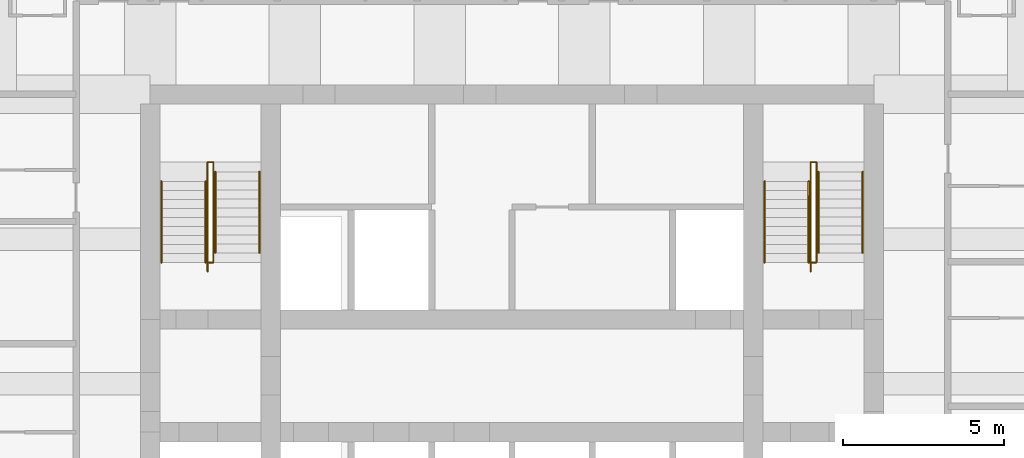
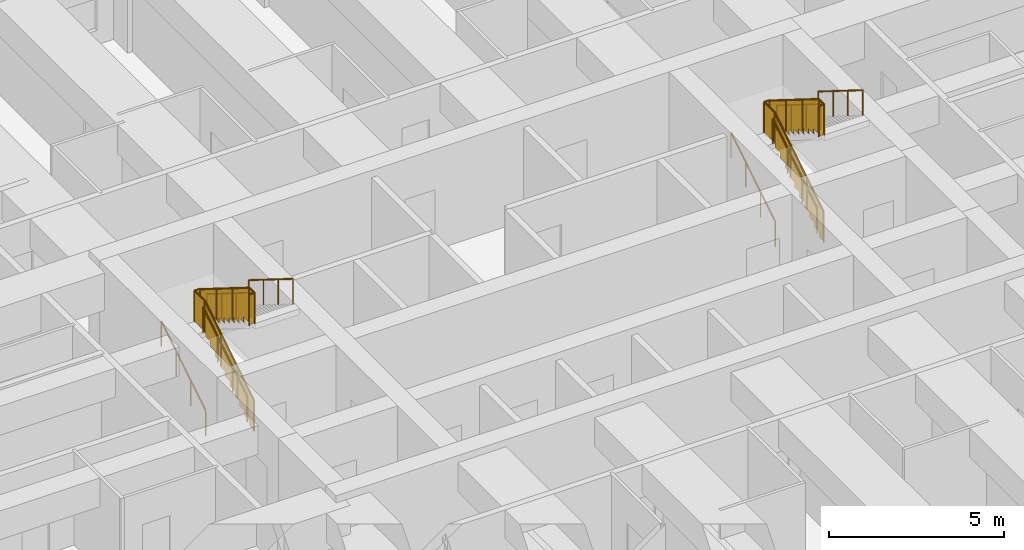
# One storey, part 8 of 8: 12 railings.
"""IFC4 building model written with IfcOpenShell, lengths in metres."""

from ifc_helpers import new_model, si_unit, direction, frame, origin, origin_2d, place, context, subcontext, project, spatial, polyline, circle, outline, extrude, material, type_object, element, save


model = new_model("IFC4")

# Units and contexts
model_context = context("Model", 3, precision=1e-05, world=origin(), true_north=direction((0.0, 1.0)))
body_context = subcontext(model_context, "Body", "Model", "MODEL_VIEW")
ifc_project = project(units=[si_unit("LENGTHUNIT", "METRE"), si_unit("AREAUNIT", "SQUARE_METRE"), si_unit("VOLUMEUNIT", "CUBIC_METRE"), si_unit("PLANEANGLEUNIT", "RADIAN"), si_unit("MASSUNIT", "GRAM", prefix="KILO")], contexts=[model_context])

# Site, building, storey
site_placement = place(None, origin())
site = spatial("IfcSite", under=ifc_project, at=site_placement, CompositionType="ELEMENT")
building_placement = place(site_placement, origin())
building = spatial("IfcBuilding", under=site, at=building_placement, Name="Kilele Tower Hotel", CompositionType="ELEMENT")
storey_placement = place(building_placement, frame((0.0, 0.0, 64.699951171875)))
storey = spatial("IfcBuildingStorey", under=building, at=storey_placement, Name="L15", CompositionType="ELEMENT", Elevation=64.699951171875)

# Railings
ifc_material_1 = material(Name="Steel handrail", Category="steel")
railing_type_1 = type_object("IfcRailingType", Name="Handrail 900", PredefinedType="HANDRAIL", material=ifc_material_1)
for number, where, name in (
    (1, (13.85009765625, 21.77490234375, 0.175048828125), "Handrail ST1 flight 1"),
    (2, (15.22509765625, 21.77490234375, 0.175048828125), "Handrail ST1 flight 1"),
):
    element("IfcRailing", number, at=place(storey_placement, frame(where)), inside=storey, type_object=railing_type_1, Name=name, PredefinedType="HANDRAIL", context=body_context, shape_type="SweptSolid", body=[
        extrude(circle(Radius=0.02490234375, at=origin_2d()), frame((0.0, 0.0, 0.875), z_axis=(0.0, 0.848007534815, 0.529984170421), x_axis=(-1.0, 0.0, 0.0)), (0.0, 0.0, 1.0), 2.9716796875),
        extrude(circle(Radius=0.02001953125, at=origin_2d()), origin(), (0.0, 0.0, 1.0), 0.849853515625),
        extrude(circle(Radius=0.02001953125, at=origin_2d()), frame((0.0, 0.840087890625, 0.52490234375)), (0.0, 0.0, 1.0), 0.849853515625),
        extrude(circle(Radius=0.02001953125, at=origin_2d()), frame((0.0, 1.679931640625, 1.050048828125)), (0.0, 0.0, 1.0), 0.849853515625),
        extrude(circle(Radius=0.02001953125, at=origin_2d()), frame((0.0, 2.52001953125, 1.574951171875)), (0.0, 0.0, 1.0), 0.849853515625),
    ])
for number, where, name in (
    (3, (15.52490234375, 24.594970703125, 1.925048828125), "Handrail ST1 flight 2"),
    (4, (16.89990234375, 24.594970703125, 1.925048828125), "Handrail ST1 flight 2"),
):
    element("IfcRailing", number, at=place(storey_placement, frame(where)), inside=storey, type_object=railing_type_1, Name=name, PredefinedType="HANDRAIL", context=body_context, shape_type="SweptSolid", body=[
        extrude(circle(Radius=0.02490234375, at=origin_2d()), frame((0.0, 0.0, 0.875), z_axis=(0.0, -0.848007534815, 0.529984170421), x_axis=(1.0, 0.0, 0.0)), (0.0, 0.0, 1.0), 2.9716796875),
        extrude(circle(Radius=0.02001953125, at=origin_2d()), origin(), (0.0, 0.0, 1.0), 0.849853515625),
        extrude(circle(Radius=0.02001953125, at=origin_2d()), frame((0.0, -0.840087890625, 0.52490234375)), (0.0, 0.0, 1.0), 0.849853515625),
        extrude(circle(Radius=0.02001953125, at=origin_2d()), frame((0.0, -1.679931640625, 1.050048828125)), (0.0, 0.0, 1.0), 0.849853515625),
        extrude(circle(Radius=0.02001953125, at=origin_2d()), frame((0.0, -2.52001953125, 1.574951171875)), (0.0, 0.0, 1.0), 0.849853515625),
    ])
for number, where, name in (
    (5, (32.60009765625, 21.77490234375, 0.175048828125), "Handrail ST2 flight 1"),
    (6, (33.97509765625, 21.77490234375, 0.175048828125), "Handrail ST2 flight 1"),
):
    element("IfcRailing", number, at=place(storey_placement, frame(where)), inside=storey, type_object=railing_type_1, Name=name, PredefinedType="HANDRAIL", context=body_context, shape_type="SweptSolid", body=[
        extrude(circle(Radius=0.02490234375, at=origin_2d()), frame((0.0, 0.0, 0.875), z_axis=(0.0, 0.848007534815, 0.529984170421), x_axis=(-1.0, 0.0, 0.0)), (0.0, 0.0, 1.0), 2.9716796875),
        extrude(circle(Radius=0.02001953125, at=origin_2d()), origin(), (0.0, 0.0, 1.0), 0.849853515625),
        extrude(circle(Radius=0.02001953125, at=origin_2d()), frame((0.0, 0.840087890625, 0.52490234375)), (0.0, 0.0, 1.0), 0.849853515625),
        extrude(circle(Radius=0.02001953125, at=origin_2d()), frame((0.0, 1.679931640625, 1.050048828125)), (0.0, 0.0, 1.0), 0.849853515625),
        extrude(circle(Radius=0.02001953125, at=origin_2d()), frame((0.0, 2.52001953125, 1.574951171875)), (0.0, 0.0, 1.0), 0.849853515625),
    ])
for number, where, name in (
    (7, (34.27490234375, 24.594970703125, 1.925048828125), "Handrail ST2 flight 2"),
    (8, (35.64990234375, 24.594970703125, 1.925048828125), "Handrail ST2 flight 2"),
):
    element("IfcRailing", number, at=place(storey_placement, frame(where)), inside=storey, type_object=railing_type_1, Name=name, PredefinedType="HANDRAIL", context=body_context, shape_type="SweptSolid", body=[
        extrude(circle(Radius=0.02490234375, at=origin_2d()), frame((0.0, 0.0, 0.875), z_axis=(0.0, -0.848007534815, 0.529984170421), x_axis=(1.0, 0.0, 0.0)), (0.0, 0.0, 1.0), 2.9716796875),
        extrude(circle(Radius=0.02001953125, at=origin_2d()), origin(), (0.0, 0.0, 1.0), 0.849853515625),
        extrude(circle(Radius=0.02001953125, at=origin_2d()), frame((0.0, -0.840087890625, 0.52490234375)), (0.0, 0.0, 1.0), 0.849853515625),
        extrude(circle(Radius=0.02001953125, at=origin_2d()), frame((0.0, -1.679931640625, 1.050048828125)), (0.0, 0.0, 1.0), 0.849853515625),
        extrude(circle(Radius=0.02001953125, at=origin_2d()), frame((0.0, -2.52001953125, 1.574951171875)), (0.0, 0.0, 1.0), 0.849853515625),
    ])
ifc_material_2 = material(Name="Steel guard", Category="steel")
railing_type_2 = type_object("IfcRailingType", Name="Stair guard 1100", PredefinedType="GUARDRAIL", material=ifc_material_2)
railing_1_placement = place(storey_placement, frame((15.284912109375, 21.4951171875, 0.0)))
element("IfcRailing", 9, at=railing_1_placement, inside=storey, type_object=railing_type_2, Name="Stair well guard ST1 flight 1", PredefinedType="GUARDRAIL", context=body_context, shape_type="SweptSolid", body=[
    extrude(circle(Radius=0.02490234375, at=origin_2d()), frame((0.0, 0.0, 1.0751953125), z_axis=(0.0, 0.847981687118, 0.530025526095), x_axis=(-1.0, 0.0, 0.0)), (0.0, 0.0, 1.0), 3.3017578125),
    extrude(circle(Radius=0.02490234375, at=origin_2d()), frame((0.0, 2.7998046875, 2.8251953125), z_axis=(0.0, 1.0, 0.0), x_axis=(-1.0, 0.0, 0.0)), (0.0, 0.0, 1.0), 0.60009765625),
    extrude(circle(Radius=0.02490234375, at=origin_2d()), frame((0.0, 3.39990234375, 2.8251953125), z_axis=(1.0, 0.0, 0.0), x_axis=(0.0, 1.0, 0.0)), (0.0, 0.0, 1.0), 0.18017578125),
    extrude(circle(Radius=0.02490234375, at=origin_2d()), origin(), (0.0, 0.0, 1.0), 1.050048828125),
    extrude(circle(Radius=0.02490234375, at=origin_2d()), frame((0.0, 0.933349609375, 0.583251953125)), (0.0, 0.0, 1.0), 1.050048828125),
    extrude(circle(Radius=0.02490234375, at=origin_2d()), frame((0.0, 1.866455078125, 1.166748046875)), (0.0, 0.0, 1.0), 1.050048828125),
    extrude(circle(Radius=0.02490234375, at=origin_2d()), frame((0.0, 2.7998046875, 1.75)), (0.0, 0.0, 1.0), 1.050048828125),
    extrude(circle(Radius=0.02490234375, at=origin_2d()), frame((0.0, 3.39990234375, 1.75)), (0.0, 0.0, 1.0), 1.050048828125),
    extrude(circle(Radius=0.02490234375, at=origin_2d()), frame((0.18017578125, 3.39990234375, 1.75)), (0.0, 0.0, 1.0), 1.050048828125),
    extrude(outline(polyline([(0.012451171875, 0.030029296875), (0.25, 0.030029296875), (0.25, 0.205078125), (0.530029296875, 0.205078125), (0.530029296875, 0.380126953125), (0.809814453125, 0.380126953125), (0.809814453125, 0.554931640625), (1.08984375, 0.554931640625), (1.08984375, 0.72998046875), (1.369873046875, 0.72998046875), (1.369873046875, 0.905029296875), (1.64990234375, 0.905029296875), (1.64990234375, 1.080078125), (1.929931640625, 1.080078125), (1.929931640625, 1.255126953125), (2.209716796875, 1.255126953125), (2.209716796875, 1.429931640625), (2.48974609375, 1.429931640625), (2.48974609375, 1.60498046875), (2.769775390625, 1.60498046875), (2.769775390625, 1.780029296875), (2.787353515625, 1.780029296875), (2.787353515625, 2.787841796875), (0.012451171875, 1.053466796875), (0.012451171875, 0.030029296875)])), frame((-0.005859375, 0.0, 0.0), z_axis=(1.0, 0.0, 0.0), x_axis=(0.0, 1.0, 0.0)), (0.0, 0.0, 1.0), 0.011962890625),
    extrude(outline(polyline([(0.012451171875, 0.030029296875), (0.587646484375, 0.030029296875), (0.587646484375, 1.050048828125), (0.012451171875, 1.050048828125), (0.012451171875, 0.030029296875)])), frame((-0.005859375, 2.7998046875, 1.75), z_axis=(1.0, 0.0, 0.0), x_axis=(0.0, 1.0, 0.0)), (0.0, 0.0, 1.0), 0.011962890625),
    extrude(outline(polyline([(0.012451171875, 0.030029296875), (0.18017578125, 0.030029296875), (0.18017578125, 1.050048828125), (0.012451171875, 1.050048828125), (0.012451171875, 0.030029296875)])), frame((0.0, 3.40576171875, 1.75), z_axis=(0.0, -1.0, 0.0), x_axis=(1.0, 0.0, 0.0)), (0.0, 0.0, 1.0), 0.011962890625),
])
railing_2_placement = place(storey_placement, frame((15.465087890625, 24.89501953125, 1.75)))
element("IfcRailing", 10, at=railing_2_placement, inside=storey, type_object=railing_type_2, Name="Stair well guard ST1 flight 2", PredefinedType="GUARDRAIL", context=body_context, shape_type="SweptSolid", body=[
    extrude(circle(Radius=0.02490234375, at=origin_2d()), frame((0.0, 0.0, 1.0751953125), z_axis=(0.0, -1.0, 0.0), x_axis=(1.0, 0.0, 0.0)), (0.0, 0.0, 1.0), 0.02001953125),
    extrude(circle(Radius=0.02490234375, at=origin_2d()), frame((0.0, -0.02001953125, 1.0751953125), z_axis=(0.0, -0.848002457836, 0.529992293815), x_axis=(1.0, 0.0, 0.0)), (0.0, 0.0, 1.0), 3.302001953125),
    extrude(circle(Radius=0.02490234375, at=origin_2d()), frame((0.0, -2.820068359375, 2.8251953125), z_axis=(0.0, -1.0, 0.0), x_axis=(1.0, 0.0, 0.0)), (0.0, 0.0, 1.0), 0.300048828125),
    extrude(circle(Radius=0.02490234375, at=origin_2d()), frame((0.0, -3.1201171875, 2.8251953125), z_axis=(-1.0, 0.0, 0.0), x_axis=(0.0, -1.0, 0.0)), (0.0, 0.0, 1.0), 0.18017578125),
    extrude(circle(Radius=0.02490234375, at=origin_2d()), origin(), (0.0, 0.0, 1.0), 1.050048828125),
    extrude(circle(Radius=0.02490234375, at=origin_2d()), frame((0.0, -0.02001953125, 0.0)), (0.0, 0.0, 1.0), 1.050048828125),
    extrude(circle(Radius=0.02490234375, at=origin_2d()), frame((0.0, -0.953369140625, 0.583251953125)), (0.0, 0.0, 1.0), 1.050048828125),
    extrude(circle(Radius=0.02490234375, at=origin_2d()), frame((0.0, -1.88671875, 1.166748046875)), (0.0, 0.0, 1.0), 1.050048828125),
    extrude(circle(Radius=0.02490234375, at=origin_2d()), frame((0.0, -2.820068359375, 1.75)), (0.0, 0.0, 1.0), 1.050048828125),
    extrude(circle(Radius=0.02490234375, at=origin_2d()), frame((0.0, -3.1201171875, 1.75)), (0.0, 0.0, 1.0), 1.050048828125),
    extrude(circle(Radius=0.02490234375, at=origin_2d()), frame((-0.18017578125, -3.1201171875, 1.75)), (0.0, 0.0, 1.0), 1.050048828125),
    extrude(outline(polyline([(0.012451171875, 0.030029296875), (0.25, 0.030029296875), (0.25, 0.205078125), (0.530029296875, 0.205078125), (0.530029296875, 0.380126953125), (0.81005859375, 0.380126953125), (0.81005859375, 0.554931640625), (1.090087890625, 0.554931640625), (1.090087890625, 0.72998046875), (1.3701171875, 0.72998046875), (1.3701171875, 0.905029296875), (1.64990234375, 0.905029296875), (1.64990234375, 1.080078125), (1.929931640625, 1.080078125), (1.929931640625, 1.255126953125), (2.2099609375, 1.255126953125), (2.2099609375, 1.429931640625), (2.489990234375, 1.429931640625), (2.489990234375, 1.60498046875), (2.77001953125, 1.60498046875), (2.77001953125, 1.780029296875), (2.78759765625, 1.780029296875), (2.78759765625, 2.787841796875), (0.012451171875, 1.053466796875), (0.012451171875, 0.030029296875)])), frame((0.005859375, -0.02001953125, 0.0), z_axis=(-1.0, 0.0, 0.0), x_axis=(0.0, -1.0, 0.0)), (0.0, 0.0, 1.0), 0.011962890625),
    extrude(outline(polyline([(0.012451171875, 0.030029296875), (0.28759765625, 0.030029296875), (0.28759765625, 1.050048828125), (0.012451171875, 1.050048828125), (0.012451171875, 0.030029296875)])), frame((0.005859375, -2.820068359375, 1.75), z_axis=(-1.0, 0.0, 0.0), x_axis=(0.0, -1.0, 0.0)), (0.0, 0.0, 1.0), 0.011962890625),
    extrude(outline(polyline([(0.012451171875, 0.030029296875), (0.18017578125, 0.030029296875), (0.18017578125, 1.050048828125), (0.012451171875, 1.050048828125), (0.012451171875, 0.030029296875)])), frame((0.0, -3.1259765625, 1.75), z_axis=(0.0, 1.0, 0.0), x_axis=(-1.0, 0.0, 0.0)), (0.0, 0.0, 1.0), 0.011962890625),
])
railing_3_placement = place(storey_placement, frame((34.034912109375, 21.4951171875, 0.0)))
element("IfcRailing", 11, at=railing_3_placement, inside=storey, type_object=railing_type_2, Name="Stair well guard ST2 flight 1", PredefinedType="GUARDRAIL", context=body_context, shape_type="SweptSolid", body=[
    extrude(circle(Radius=0.02490234375, at=origin_2d()), frame((0.0, 0.0, 1.0751953125), z_axis=(0.0, 0.847981687118, 0.530025526095), x_axis=(-1.0, 0.0, 0.0)), (0.0, 0.0, 1.0), 3.3017578125),
    extrude(circle(Radius=0.02490234375, at=origin_2d()), frame((0.0, 2.7998046875, 2.8251953125), z_axis=(0.0, 1.0, 0.0), x_axis=(-1.0, 0.0, 0.0)), (0.0, 0.0, 1.0), 0.60009765625),
    extrude(circle(Radius=0.02490234375, at=origin_2d()), frame((0.0, 3.39990234375, 2.8251953125), z_axis=(1.0, 0.0, 0.0), x_axis=(0.0, 1.0, 0.0)), (0.0, 0.0, 1.0), 0.18017578125),
    extrude(circle(Radius=0.02490234375, at=origin_2d()), origin(), (0.0, 0.0, 1.0), 1.050048828125),
    extrude(circle(Radius=0.02490234375, at=origin_2d()), frame((0.0, 0.933349609375, 0.583251953125)), (0.0, 0.0, 1.0), 1.050048828125),
    extrude(circle(Radius=0.02490234375, at=origin_2d()), frame((0.0, 1.866455078125, 1.166748046875)), (0.0, 0.0, 1.0), 1.050048828125),
    extrude(circle(Radius=0.02490234375, at=origin_2d()), frame((0.0, 2.7998046875, 1.75)), (0.0, 0.0, 1.0), 1.050048828125),
    extrude(circle(Radius=0.02490234375, at=origin_2d()), frame((0.0, 3.39990234375, 1.75)), (0.0, 0.0, 1.0), 1.050048828125),
    extrude(circle(Radius=0.02490234375, at=origin_2d()), frame((0.18017578125, 3.39990234375, 1.75)), (0.0, 0.0, 1.0), 1.050048828125),
    extrude(outline(polyline([(0.012451171875, 0.030029296875), (0.25, 0.030029296875), (0.25, 0.205078125), (0.530029296875, 0.205078125), (0.530029296875, 0.380126953125), (0.809814453125, 0.380126953125), (0.809814453125, 0.554931640625), (1.08984375, 0.554931640625), (1.08984375, 0.72998046875), (1.369873046875, 0.72998046875), (1.369873046875, 0.905029296875), (1.64990234375, 0.905029296875), (1.64990234375, 1.080078125), (1.929931640625, 1.080078125), (1.929931640625, 1.255126953125), (2.209716796875, 1.255126953125), (2.209716796875, 1.429931640625), (2.48974609375, 1.429931640625), (2.48974609375, 1.60498046875), (2.769775390625, 1.60498046875), (2.769775390625, 1.780029296875), (2.787353515625, 1.780029296875), (2.787353515625, 2.787841796875), (0.012451171875, 1.053466796875), (0.012451171875, 0.030029296875)])), frame((-0.005859375, 0.0, 0.0), z_axis=(1.0, 0.0, 0.0), x_axis=(0.0, 1.0, 0.0)), (0.0, 0.0, 1.0), 0.011962890625),
    extrude(outline(polyline([(0.012451171875, 0.030029296875), (0.587646484375, 0.030029296875), (0.587646484375, 1.050048828125), (0.012451171875, 1.050048828125), (0.012451171875, 0.030029296875)])), frame((-0.005859375, 2.7998046875, 1.75), z_axis=(1.0, 0.0, 0.0), x_axis=(0.0, 1.0, 0.0)), (0.0, 0.0, 1.0), 0.011962890625),
    extrude(outline(polyline([(0.012451171875, 0.030029296875), (0.18017578125, 0.030029296875), (0.18017578125, 1.050048828125), (0.012451171875, 1.050048828125), (0.012451171875, 0.030029296875)])), frame((0.0, 3.40576171875, 1.75), z_axis=(0.0, -1.0, 0.0), x_axis=(1.0, 0.0, 0.0)), (0.0, 0.0, 1.0), 0.011962890625),
])
railing_4_placement = place(storey_placement, frame((34.215087890625, 24.89501953125, 1.75)))
element("IfcRailing", 12, at=railing_4_placement, inside=storey, type_object=railing_type_2, Name="Stair well guard ST2 flight 2", PredefinedType="GUARDRAIL", context=body_context, shape_type="SweptSolid", body=[
    extrude(circle(Radius=0.02490234375, at=origin_2d()), frame((0.0, 0.0, 1.0751953125), z_axis=(0.0, -1.0, 0.0), x_axis=(1.0, 0.0, 0.0)), (0.0, 0.0, 1.0), 0.02001953125),
    extrude(circle(Radius=0.02490234375, at=origin_2d()), frame((0.0, -0.02001953125, 1.0751953125), z_axis=(0.0, -0.848002457836, 0.529992293815), x_axis=(1.0, 0.0, 0.0)), (0.0, 0.0, 1.0), 3.302001953125),
    extrude(circle(Radius=0.02490234375, at=origin_2d()), frame((0.0, -2.820068359375, 2.8251953125), z_axis=(0.0, -1.0, 0.0), x_axis=(1.0, 0.0, 0.0)), (0.0, 0.0, 1.0), 0.300048828125),
    extrude(circle(Radius=0.02490234375, at=origin_2d()), frame((0.0, -3.1201171875, 2.8251953125), z_axis=(-1.0, 0.0, 0.0), x_axis=(0.0, -1.0, 0.0)), (0.0, 0.0, 1.0), 0.18017578125),
    extrude(circle(Radius=0.02490234375, at=origin_2d()), origin(), (0.0, 0.0, 1.0), 1.050048828125),
    extrude(circle(Radius=0.02490234375, at=origin_2d()), frame((0.0, -0.02001953125, 0.0)), (0.0, 0.0, 1.0), 1.050048828125),
    extrude(circle(Radius=0.02490234375, at=origin_2d()), frame((0.0, -0.953369140625, 0.583251953125)), (0.0, 0.0, 1.0), 1.050048828125),
    extrude(circle(Radius=0.02490234375, at=origin_2d()), frame((0.0, -1.88671875, 1.166748046875)), (0.0, 0.0, 1.0), 1.050048828125),
    extrude(circle(Radius=0.02490234375, at=origin_2d()), frame((0.0, -2.820068359375, 1.75)), (0.0, 0.0, 1.0), 1.050048828125),
    extrude(circle(Radius=0.02490234375, at=origin_2d()), frame((0.0, -3.1201171875, 1.75)), (0.0, 0.0, 1.0), 1.050048828125),
    extrude(circle(Radius=0.02490234375, at=origin_2d()), frame((-0.18017578125, -3.1201171875, 1.75)), (0.0, 0.0, 1.0), 1.050048828125),
    extrude(outline(polyline([(0.012451171875, 0.030029296875), (0.25, 0.030029296875), (0.25, 0.205078125), (0.530029296875, 0.205078125), (0.530029296875, 0.380126953125), (0.81005859375, 0.380126953125), (0.81005859375, 0.554931640625), (1.090087890625, 0.554931640625), (1.090087890625, 0.72998046875), (1.3701171875, 0.72998046875), (1.3701171875, 0.905029296875), (1.64990234375, 0.905029296875), (1.64990234375, 1.080078125), (1.929931640625, 1.080078125), (1.929931640625, 1.255126953125), (2.2099609375, 1.255126953125), (2.2099609375, 1.429931640625), (2.489990234375, 1.429931640625), (2.489990234375, 1.60498046875), (2.77001953125, 1.60498046875), (2.77001953125, 1.780029296875), (2.78759765625, 1.780029296875), (2.78759765625, 2.787841796875), (0.012451171875, 1.053466796875), (0.012451171875, 0.030029296875)])), frame((0.005859375, -0.02001953125, 0.0), z_axis=(-1.0, 0.0, 0.0), x_axis=(0.0, -1.0, 0.0)), (0.0, 0.0, 1.0), 0.011962890625),
    extrude(outline(polyline([(0.012451171875, 0.030029296875), (0.28759765625, 0.030029296875), (0.28759765625, 1.050048828125), (0.012451171875, 1.050048828125), (0.012451171875, 0.030029296875)])), frame((0.005859375, -2.820068359375, 1.75), z_axis=(-1.0, 0.0, 0.0), x_axis=(0.0, -1.0, 0.0)), (0.0, 0.0, 1.0), 0.011962890625),
    extrude(outline(polyline([(0.012451171875, 0.030029296875), (0.18017578125, 0.030029296875), (0.18017578125, 1.050048828125), (0.012451171875, 1.050048828125), (0.012451171875, 0.030029296875)])), frame((0.0, -3.1259765625, 1.75), z_axis=(0.0, 1.0, 0.0), x_axis=(-1.0, 0.0, 0.0)), (0.0, 0.0, 1.0), 0.011962890625),
])

save(model, "model.ifc")
